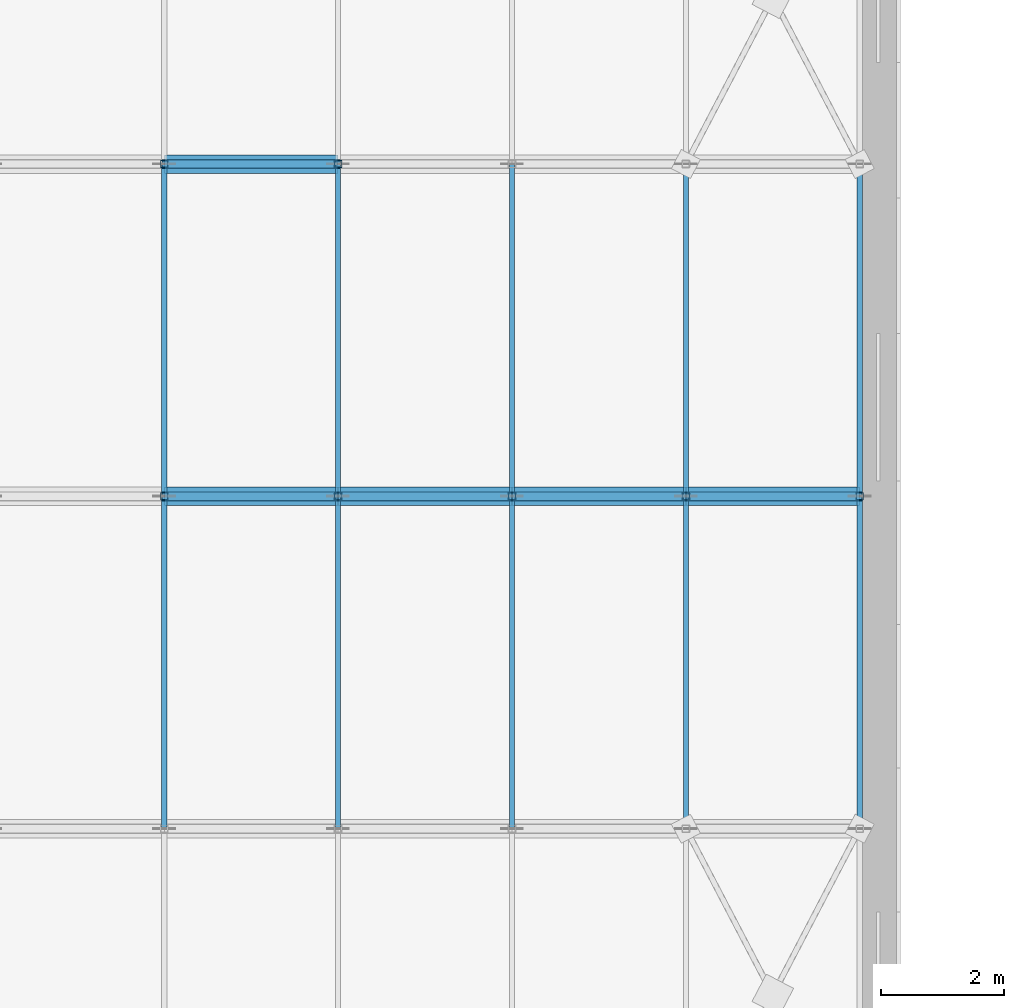
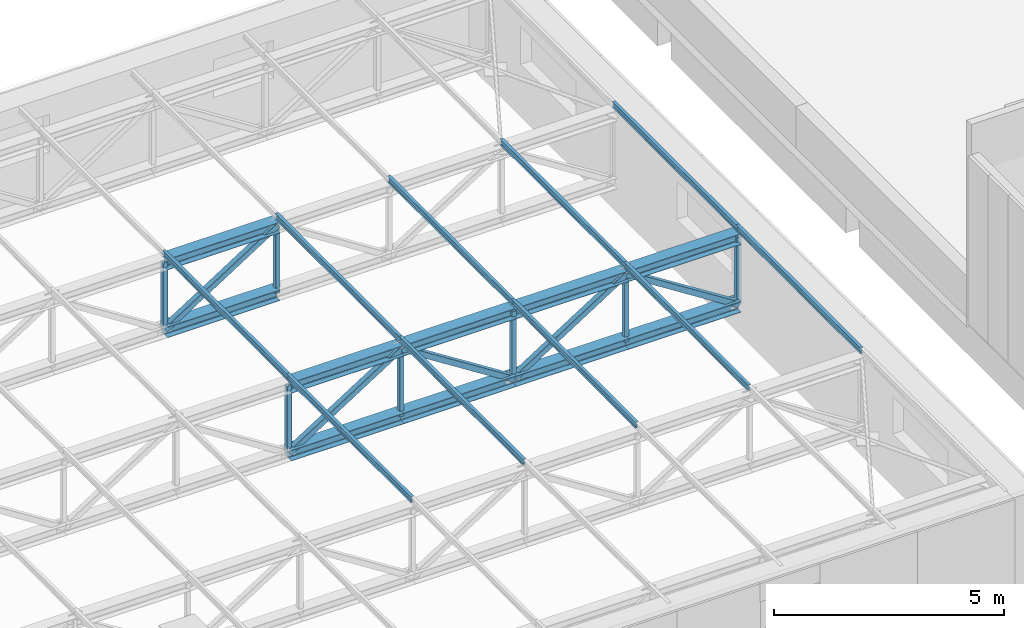
# One storey, part 42 of 132: 32 members.
"""IFC4 building model written with IfcOpenShell, lengths in metres."""

from ifc_helpers import new_model, si_unit, direction, frame, origin, origin_2d, place, context, subcontext, project, spatial, hollow_rectangle, i_section, extrude, material, material_profile, profile_set, type_object, element, save


model = new_model("IFC4")

# Units and contexts
model_context = context("Model", 3, precision=1e-05, world=origin(), true_north=direction((0.0, 1.0)))
body_context = subcontext(model_context, "Body", "Model", "MODEL_VIEW")
ifc_project = project(units=[si_unit("LENGTHUNIT", "METRE"), si_unit("AREAUNIT", "SQUARE_METRE"), si_unit("VOLUMEUNIT", "CUBIC_METRE"), si_unit("PLANEANGLEUNIT", "RADIAN"), si_unit("MASSUNIT", "GRAM", prefix="KILO")], contexts=[model_context])

# Site, building, storey
site_placement = place(None, origin())
site = spatial("IfcSite", under=ifc_project, at=site_placement, CompositionType="ELEMENT")
building_placement = place(site_placement, origin())
building = spatial("IfcBuilding", under=site, at=building_placement, Name="Lunette Opera House", CompositionType="ELEMENT")
storey_placement = place(building_placement, frame((0.0, 0.0, 17.0)))
storey = spatial("IfcBuildingStorey", under=building, at=storey_placement, Name="L03", CompositionType="ELEMENT", Elevation=17.0)

# Members
ifc_material_1 = material(Name="Steel S355", Category="steel")
ifc_material_profile_1 = material_profile(ifc_material_1, i_section(OverallWidth=0.300048828125, OverallDepth=0.2900390625, WebThickness=0.008544921875, FlangeThickness=0.013916015625, FilletRadius=0.027099609375, at=origin_2d()), Name="HEA 300")
ifc_profile_set_1 = profile_set([ifc_material_profile_1], Name="Steel S355")
member_type_1 = type_object("IfcMemberType", Name="CHORD HEA 300", PredefinedType="CHORD", material=ifc_profile_set_1)
for number, where, z_axis, x_axis, name in (
    (1, (120.10009765625, 108.0, 2.574951171875), (1.0, 0.0, 0.0), (0.0, 1.0, 0.0), "mem-ST-L03-SE-TR03-TC5"),
    (2, (120.10009765625, 108.0, 0.77490234375), (1.0, 0.0, 0.0), (0.0, 1.0, 0.0), "mem-ST-L03-SE-TR03-BC5"),
    (3, (122.925048828125, 108.0, 2.574951171875), (1.0, 0.0, 0.0), (0.0, 1.0, 0.0), "mem-ST-L03-SE-TR03-TC6"),
    (4, (122.925048828125, 108.0, 0.77490234375), (1.0, 0.0, 0.0), (0.0, 1.0, 0.0), "mem-ST-L03-SE-TR03-BC6"),
    (5, (125.75, 108.0, 2.574951171875), (1.0, 0.0, 0.0), (0.0, 1.0, 0.0), "mem-ST-L03-SE-TR03-TC7"),
    (6, (125.75, 108.0, 0.77490234375), (1.0, 0.0, 0.0), (0.0, 1.0, 0.0), "mem-ST-L03-SE-TR03-BC7"),
    (7, (128.574951171875, 108.0, 2.574951171875), (1.0, 0.0, 0.0), (0.0, 1.0, 0.0), "mem-ST-L03-SE-TR03-TC8"),
    (8, (128.574951171875, 108.0, 0.77490234375), (1.0, 0.0, 0.0), (0.0, 1.0, 0.0), "mem-ST-L03-SE-TR03-BC8"),
    (9, (120.10009765625, 113.39990234375, 2.574951171875), (1.0, 0.0, 0.0), (0.0, 1.0, 0.0), "mem-ST-L03-SE-TR04-TC5"),
    (10, (120.10009765625, 113.39990234375, 0.77490234375), (1.0, 0.0, 0.0), (0.0, 1.0, 0.0), "mem-ST-L03-SE-TR04-BC5"),
):
    element("IfcMember", number, at=place(storey_placement, frame(where, z_axis=z_axis, x_axis=x_axis)), inside=storey, type_object=member_type_1, Name=name, PredefinedType="CHORD", context=body_context, shape_type="SweptSolid", body=[
        extrude(i_section(OverallWidth=0.300048828125, OverallDepth=0.2900390625, WebThickness=0.008544921875, FlangeThickness=0.013916015625, FilletRadius=0.027099609375, at=origin_2d()), origin(), (0.0, 0.0, 1.0), 2.824951171875),
    ])
ifc_material_2 = material(Name="Steel S355", Category="steel")
ifc_material_profile_2 = material_profile(ifc_material_2, hollow_rectangle(XDim=0.14990234375, YDim=0.14990234375, WallThickness=0.006103515625, InnerFilletRadius=0.006103515625, OuterFilletRadius=0.011962890625, at=origin_2d()), Name="RHS 150X150X6")
ifc_profile_set_2 = profile_set([ifc_material_profile_2], Name="Steel S355")
member_type_2 = type_object("IfcMemberType", Name="DIAGONAL RHS 150X150X6", PredefinedType="BRACE", material=ifc_profile_set_2)
for number, where, z_axis, x_axis, name in (
    (11, (120.10009765625, 108.0, 0.77490234375), (0.843343221477, 0.0, 0.537375297896), (0.0, 1.0, 0.0), "mem-ST-L03-SE-TR03-TD5"),
    (12, (122.925048828125, 108.0, 2.574951171875), (0.843343221477, 0.0, -0.537375297896), (0.0, 1.0, 0.0), "mem-ST-L03-SE-TR03-TD6"),
    (13, (125.75, 108.0, 0.77490234375), (0.843343221477, 0.0, 0.537375297896), (0.0, 1.0, 0.0), "mem-ST-L03-SE-TR03-TD7"),
    (14, (128.574951171875, 108.0, 2.574951171875), (0.843343221477, 0.0, -0.537375297896), (0.0, 1.0, 0.0), "mem-ST-L03-SE-TR03-TD8"),
    (15, (120.10009765625, 113.39990234375, 0.77490234375), (0.843343221477, 0.0, 0.537375297896), (0.0, 1.0, 0.0), "mem-ST-L03-SE-TR04-TD5"),
):
    element("IfcMember", number, at=place(storey_placement, frame(where, z_axis=z_axis, x_axis=x_axis)), inside=storey, type_object=member_type_2, Name=name, PredefinedType="BRACE", context=body_context, shape_type="SweptSolid", body=[
        extrude(hollow_rectangle(XDim=0.14990234375, YDim=0.14990234375, WallThickness=0.006103515625, InnerFilletRadius=0.006103515625, OuterFilletRadius=0.011962890625, at=origin_2d()), origin(), (0.0, 0.0, 1.0), 3.349609375),
    ])
ifc_material_3 = material(Name="Steel S355", Category="steel")
ifc_material_profile_3 = material_profile(ifc_material_3, i_section(OverallWidth=0.08203125, OverallDepth=0.159912109375, WebThickness=0.0048828125, FlangeThickness=0.00732421875, FilletRadius=0.009033203125, at=origin_2d()), Name="IPE 160")
ifc_profile_set_3 = profile_set([ifc_material_profile_3], Name="Steel S355")
member_type_3 = type_object("IfcMemberType", Name="PURLIN IPE 160", PredefinedType="PURLIN", material=ifc_profile_set_3)
for number, where, z_axis, x_axis, name in (
    (16, (120.10009765625, 102.60009765625, 2.800048828125), (0.0, 1.0, 0.0), (-1.0, 0.0, 0.0), "mem-ST-L03-SE-TR-PU5-3"),
    (17, (120.10009765625, 108.0, 2.800048828125), (0.0, 1.0, 0.0), (-1.0, 0.0, 0.0), "mem-ST-L03-SE-TR-PU5-4"),
    (18, (122.925048828125, 102.60009765625, 2.800048828125), (0.0, 1.0, 0.0), (-1.0, 0.0, 0.0), "mem-ST-L03-SE-TR-PU6-3"),
    (19, (122.925048828125, 108.0, 2.800048828125), (0.0, 1.0, 0.0), (-1.0, 0.0, 0.0), "mem-ST-L03-SE-TR-PU6-4"),
    (20, (125.75, 102.60009765625, 2.800048828125), (0.0, 1.0, 0.0), (-1.0, 0.0, 0.0), "mem-ST-L03-SE-TR-PU7-3"),
    (21, (125.75, 108.0, 2.800048828125), (0.0, 1.0, 0.0), (-1.0, 0.0, 0.0), "mem-ST-L03-SE-TR-PU7-4"),
    (22, (128.574951171875, 102.60009765625, 2.800048828125), (0.0, 1.0, 0.0), (-1.0, 0.0, 0.0), "mem-ST-L03-SE-TR-PU8-3"),
    (23, (128.574951171875, 108.0, 2.800048828125), (0.0, 1.0, 0.0), (-1.0, 0.0, 0.0), "mem-ST-L03-SE-TR-PU8-4"),
    (24, (131.39990234375, 102.60009765625, 2.800048828125), (0.0, 1.0, 0.0), (-1.0, 0.0, 0.0), "mem-ST-L03-SE-TR-PU9-3"),
    (25, (131.39990234375, 108.0, 2.800048828125), (0.0, 1.0, 0.0), (-1.0, 0.0, 0.0), "mem-ST-L03-SE-TR-PU9-4"),
):
    element("IfcMember", number, at=place(storey_placement, frame(where, z_axis=z_axis, x_axis=x_axis)), inside=storey, type_object=member_type_3, Name=name, PredefinedType="PURLIN", context=body_context, shape_type="SweptSolid", body=[
        extrude(i_section(OverallWidth=0.08203125, OverallDepth=0.159912109375, WebThickness=0.0048828125, FlangeThickness=0.00732421875, FilletRadius=0.009033203125, at=origin_2d()), origin(), (0.0, 0.0, 1.0), 5.39990234375),
    ])
ifc_material_4 = material(Name="Steel S355", Category="steel")
ifc_material_profile_4 = material_profile(ifc_material_4, hollow_rectangle(XDim=0.1201171875, YDim=0.1201171875, WallThickness=0.0048828125, InnerFilletRadius=0.0048828125, OuterFilletRadius=0.010009765625, at=origin_2d()), Name="RHS 120X120X5")
ifc_profile_set_4 = profile_set([ifc_material_profile_4], Name="Steel S355")
member_type_4 = type_object("IfcMemberType", Name="VERTICAL RHS 120X120X5", PredefinedType="POST", material=ifc_profile_set_4)
for number, where, z_axis, x_axis, name in (
    (26, (120.10009765625, 108.0, 0.77490234375), (0.0, 0.0, 1.0), (1.0, 0.0, 0.0), "mem-ST-L03-SE-TR03-TV5"),
    (27, (122.925048828125, 108.0, 0.77490234375), (0.0, 0.0, 1.0), (1.0, 0.0, 0.0), "mem-ST-L03-SE-TR03-TV6"),
    (28, (125.75, 108.0, 0.77490234375), (0.0, 0.0, 1.0), (1.0, 0.0, 0.0), "mem-ST-L03-SE-TR03-TV7"),
    (29, (128.574951171875, 108.0, 0.77490234375), (0.0, 0.0, 1.0), (1.0, 0.0, 0.0), "mem-ST-L03-SE-TR03-TV8"),
    (30, (131.39990234375, 108.0, 0.77490234375), (0.0, 0.0, 1.0), (1.0, 0.0, 0.0), "mem-ST-L03-SE-TR03-TV9"),
    (31, (120.10009765625, 113.39990234375, 0.77490234375), (0.0, 0.0, 1.0), (1.0, 0.0, 0.0), "mem-ST-L03-SE-TR04-TV5"),
    (32, (122.925048828125, 113.39990234375, 0.77490234375), (0.0, 0.0, 1.0), (1.0, 0.0, 0.0), "mem-ST-L03-SE-TR04-TV6"),
):
    element("IfcMember", number, at=place(storey_placement, frame(where, z_axis=z_axis, x_axis=x_axis)), inside=storey, type_object=member_type_4, Name=name, PredefinedType="POST", context=body_context, shape_type="SweptSolid", body=[
        extrude(hollow_rectangle(XDim=0.1201171875, YDim=0.1201171875, WallThickness=0.0048828125, InnerFilletRadius=0.0048828125, OuterFilletRadius=0.010009765625, at=origin_2d()), origin(), (0.0, 0.0, 1.0), 1.800048828125),
    ])

save(model, "model.ifc")
